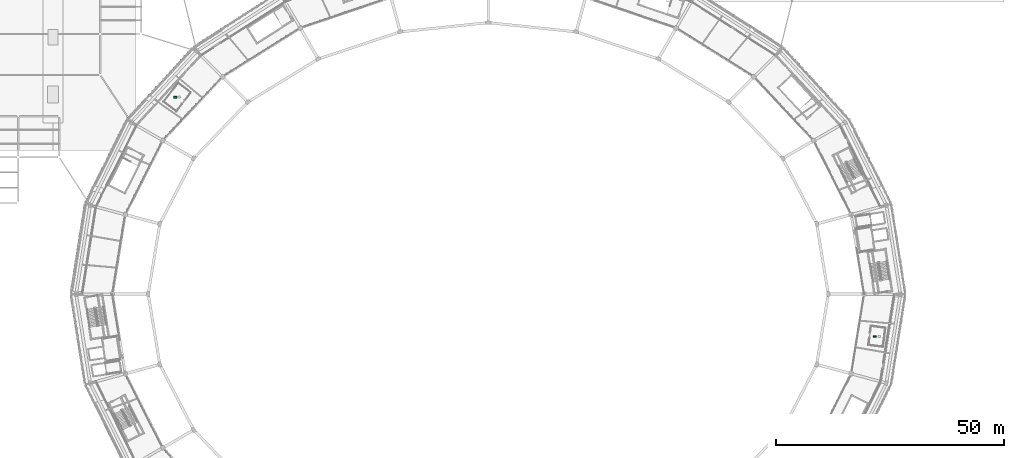
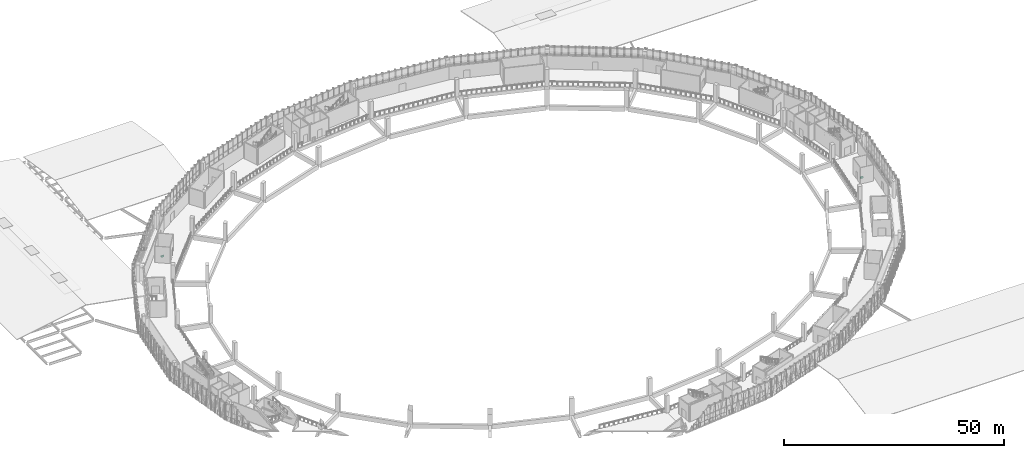
# One storey, part 108 of 108: 2 sanitary terminals.
"""IFC4 building model written with IfcOpenShell, lengths in metres."""

from ifc_helpers import new_model, si_unit, direction, frame, origin, origin_2d, place, context, subcontext, project, spatial, rectangle, extrude, material, type_object, element, save


model = new_model("IFC4")

# Units and contexts
model_context = context("Model", 3, precision=1e-05, world=origin(), true_north=direction((0.0, 1.0)))
body_context = subcontext(model_context, "Body", "Model", "MODEL_VIEW")
ifc_project = project(units=[si_unit("LENGTHUNIT", "METRE"), si_unit("AREAUNIT", "SQUARE_METRE"), si_unit("VOLUMEUNIT", "CUBIC_METRE"), si_unit("PLANEANGLEUNIT", "RADIAN"), si_unit("MASSUNIT", "GRAM", prefix="KILO")], contexts=[model_context])

# Site, building, storey
site_placement = place(None, origin())
site = spatial("IfcSite", under=ifc_project, at=site_placement, CompositionType="ELEMENT")
building_placement = place(site_placement, origin())
building = spatial("IfcBuilding", under=site, at=building_placement, Name="Zevraka Park Crest Stadium", CompositionType="ELEMENT")
storey_placement = place(building_placement, frame((0.0, 0.0, 19.800048828125)))
storey = spatial("IfcBuildingStorey", under=building, at=storey_placement, Name="L04", CompositionType="ELEMENT", Elevation=19.800048828125)

# Sanitary terminals
ifc_material = material(Name="Vitreous china sanitaryware", Category="other")
sanitary_terminal_type = type_object("IfcSanitaryTerminalType", Name="WC01", PredefinedType="TOILETPAN", material=ifc_material)
for number, where, z_axis, x_axis, name in (
    (1, (43.40087890625, 135.162109375, 0.0), (0.0, 0.0, 1.0), (1.0, 0.0, 0.0), "WC Pan L04-001"),
    (2, (196.715087890625, 82.74609375, 0.0), (0.0, 0.0, 1.0), (1.0, 0.0, 0.0), "WC Pan L04-003"),
):
    element("IfcSanitaryTerminal", number, at=place(storey_placement, frame(where, z_axis=z_axis, x_axis=x_axis)), inside=storey, type_object=sanitary_terminal_type, Name=name, PredefinedType="TOILETPAN", context=body_context, shape_type="SweptSolid", body=[
        extrude(rectangle(XDim=0.679931640625, YDim=0.3798828125, at=origin_2d()), origin(), (0.0, 0.0, 1.0), 0.419921875),
    ])

save(model, "model.ifc")
